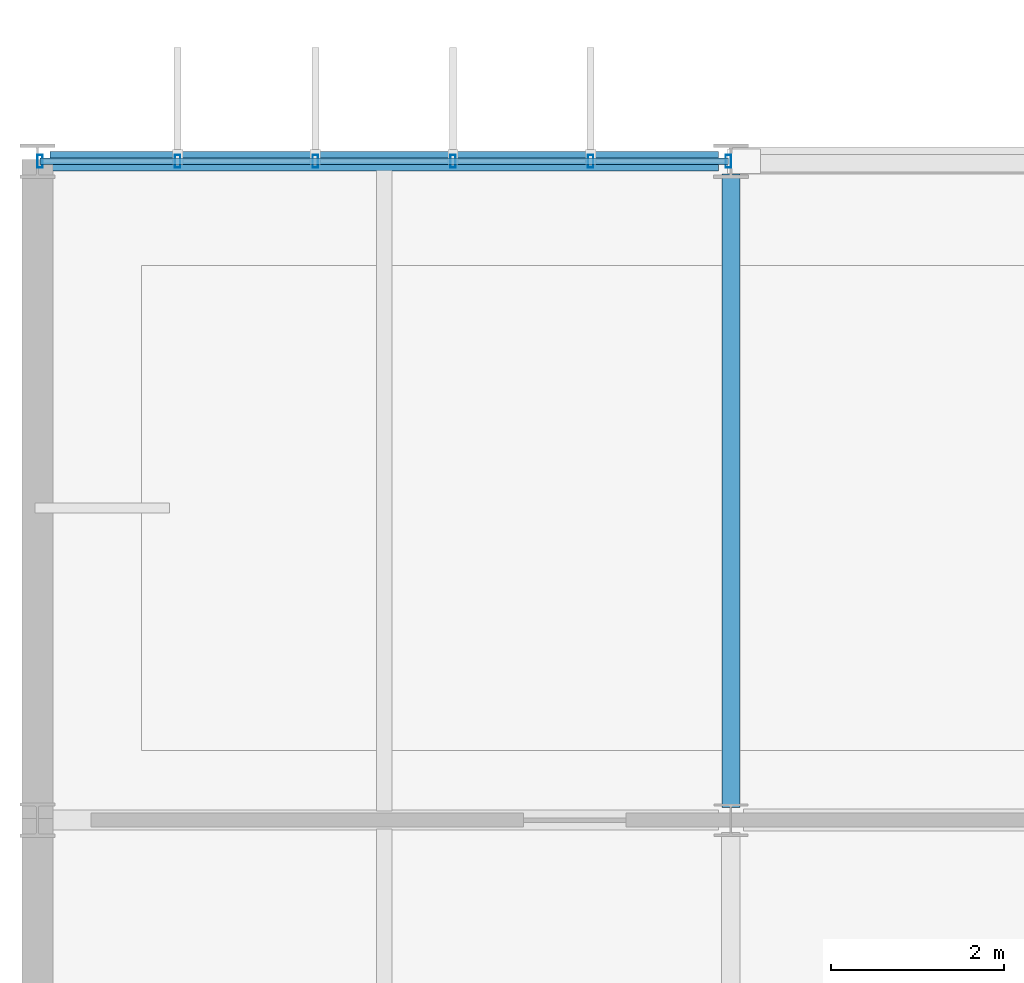
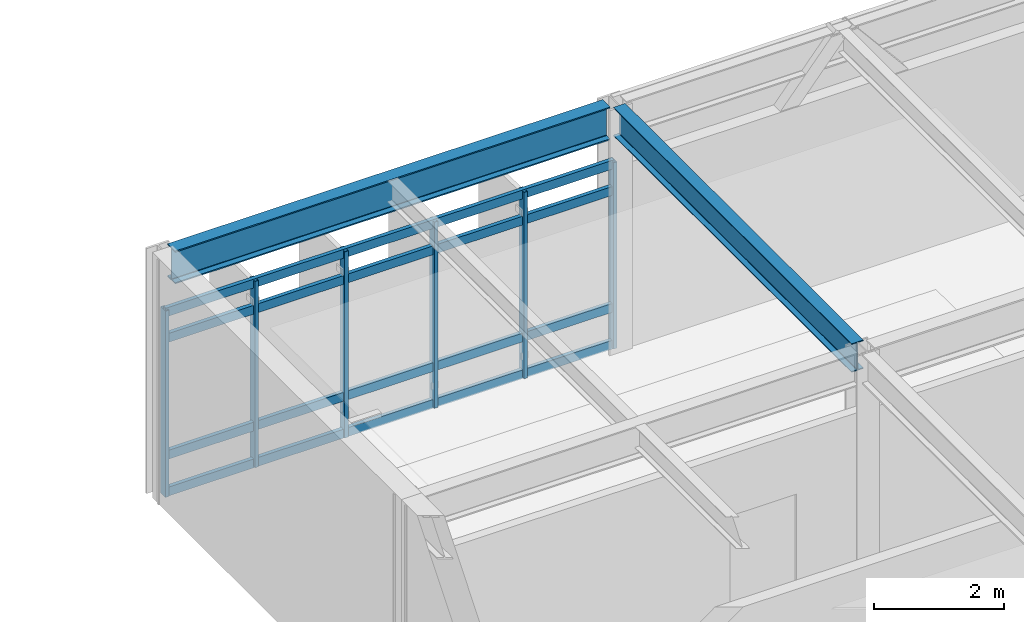
# One storey, part 27 of 104: 10 members, 2 beams, 1 element without a shape of its own.
"""IFC4 building model written with IfcOpenShell, lengths in metres."""

from ifc_helpers import new_model, si_unit, direction, frame, origin, origin_2d, place, context, subcontext, project, spatial, hollow_rectangle, i_section, extrude, material, material_profile, profile_set, type_object, element, aggregate, save


model = new_model("IFC4")

# Units and contexts
model_context = context("Model", 3, precision=1e-05, world=origin(), true_north=direction((0.0, 1.0)))
body_context = subcontext(model_context, "Body", "Model", "MODEL_VIEW")
ifc_project = project(units=[si_unit("LENGTHUNIT", "METRE"), si_unit("AREAUNIT", "SQUARE_METRE"), si_unit("VOLUMEUNIT", "CUBIC_METRE"), si_unit("PLANEANGLEUNIT", "RADIAN"), si_unit("MASSUNIT", "GRAM", prefix="KILO")], contexts=[model_context])

# Site, building, storey
site_placement = place(None, origin())
site = spatial("IfcSite", under=ifc_project, at=site_placement, CompositionType="ELEMENT")
building_placement = place(site_placement, origin())
building = spatial("IfcBuilding", under=site, at=building_placement, Name="Zulena Civic Courthouse", CompositionType="ELEMENT")
storey_placement = place(building_placement, frame((0.0, 0.0, 10.800048828125)))
storey = spatial("IfcBuildingStorey", under=building, at=storey_placement, Name="L02", CompositionType="ELEMENT", Elevation=10.800048828125)

# Curtain wall, members
ifc_material_1 = material(Name="Double-silver low-E laminated solar-control glass", Category="glass")
curtain_wall_type = type_object("IfcCurtainWallType", Name="CW_7940x3490", PredefinedType="USERDEFINED", material=ifc_material_1)
curtain_wall_placement = place(storey_placement, origin())
curtain_wall = element("IfcCurtainWall", 1, at=curtain_wall_placement, inside=storey, type_object=curtain_wall_type, Name="cw:V2:L02:1:0", ObjectType="UNITISED CURTAIN WALL", PredefinedType="USERDEFINED")
ifc_material_2 = material(Name="Bronze anodised thermally broken aluminium AA6063-T6", Category="aluminium")
ifc_material_profile_1 = material_profile(ifc_material_2, hollow_rectangle(XDim=0.06494140625, YDim=0.14990234375, WallThickness=0.00390625, at=origin_2d()), Name="CWM150X65X4")
ifc_profile_set_1 = profile_set([ifc_material_profile_1], Name="Bronze anodised thermally broken aluminium AA6063-T6")
member_type_1 = type_object("IfcMemberType", Name="CWMullion_150x65", PredefinedType="MULLION", material=ifc_profile_set_1)
member_1_placement = place(storey_placement, frame((4.030029296875, 22.800048828125, 0.0), z_axis=(0.0, 0.0, 1.0), x_axis=(1.0, 0.0, 0.0)))
member_1 = element("IfcMember", 2, at=member_1_placement, type_object=member_type_1, Name="cw:V2:L02:1:0:mull:0", PredefinedType="MULLION", context=body_context, shape_type="SweptSolid", body=[
    extrude(hollow_rectangle(XDim=0.06494140625, YDim=0.14990234375, WallThickness=0.00390625, at=origin_2d()), origin(), (0.0, 0.0, 1.0), 3.489990234375),
])
member_2_placement = place(storey_placement, frame((5.617919921875, 22.800048828125, 0.0), z_axis=(0.0, 0.0, 1.0), x_axis=(1.0, 0.0, 0.0)))
member_2 = element("IfcMember", 3, at=member_2_placement, type_object=member_type_1, Name="cw:V2:L02:1:0:mull:1", PredefinedType="MULLION", context=body_context, shape_type="SweptSolid", body=[
    extrude(hollow_rectangle(XDim=0.06494140625, YDim=0.14990234375, WallThickness=0.00390625, at=origin_2d()), origin(), (0.0, 0.0, 1.0), 3.489990234375),
])
member_3_placement = place(storey_placement, frame((7.2060546875, 22.800048828125, 0.0), z_axis=(0.0, 0.0, 1.0), x_axis=(1.0, 0.0, 0.0)))
member_3 = element("IfcMember", 4, at=member_3_placement, type_object=member_type_1, Name="cw:V2:L02:1:0:mull:2", PredefinedType="MULLION", context=body_context, shape_type="SweptSolid", body=[
    extrude(hollow_rectangle(XDim=0.06494140625, YDim=0.14990234375, WallThickness=0.00390625, at=origin_2d()), origin(), (0.0, 0.0, 1.0), 3.489990234375),
])
member_4_placement = place(storey_placement, frame((8.7939453125, 22.800048828125, 0.0), z_axis=(0.0, 0.0, 1.0), x_axis=(1.0, 0.0, 0.0)))
member_4 = element("IfcMember", 5, at=member_4_placement, type_object=member_type_1, Name="cw:V2:L02:1:0:mull:3", PredefinedType="MULLION", context=body_context, shape_type="SweptSolid", body=[
    extrude(hollow_rectangle(XDim=0.06494140625, YDim=0.14990234375, WallThickness=0.00390625, at=origin_2d()), origin(), (0.0, 0.0, 1.0), 3.489990234375),
])
member_5_placement = place(storey_placement, frame((10.382080078125, 22.800048828125, 0.0), z_axis=(0.0, 0.0, 1.0), x_axis=(1.0, 0.0, 0.0)))
member_5 = element("IfcMember", 6, at=member_5_placement, type_object=member_type_1, Name="cw:V2:L02:1:0:mull:4", PredefinedType="MULLION", context=body_context, shape_type="SweptSolid", body=[
    extrude(hollow_rectangle(XDim=0.06494140625, YDim=0.14990234375, WallThickness=0.00390625, at=origin_2d()), origin(), (0.0, 0.0, 1.0), 3.489990234375),
])
member_6_placement = place(storey_placement, frame((11.969970703125, 22.800048828125, 0.0), z_axis=(0.0, 0.0, 1.0), x_axis=(1.0, 0.0, 0.0)))
member_6 = element("IfcMember", 7, at=member_6_placement, type_object=member_type_1, Name="cw:V2:L02:1:0:mull:5", PredefinedType="MULLION", context=body_context, shape_type="SweptSolid", body=[
    extrude(hollow_rectangle(XDim=0.06494140625, YDim=0.14990234375, WallThickness=0.00390625, at=origin_2d()), origin(), (0.0, 0.0, 1.0), 3.489990234375),
])
ifc_material_profile_2 = material_profile(ifc_material_2, hollow_rectangle(XDim=0.070068359375, YDim=0.1650390625, WallThickness=0.00390625, at=origin_2d()), Name="CWT165X70X4")
ifc_profile_set_2 = profile_set([ifc_material_profile_2], Name="Bronze anodised thermally broken aluminium AA6063-T6")
member_type_2 = type_object("IfcMemberType", Name="CWTransom_165x70", PredefinedType="USERDEFINED", material=ifc_profile_set_2)
member_7_placement = place(storey_placement, frame((4.030029296875, 22.800048828125, 0.06005859375), z_axis=(1.0, 0.0, 0.0), x_axis=(0.0, 1.0, 0.0)))
member_7 = element("IfcMember", 8, at=member_7_placement, type_object=member_type_2, Name="cw:V2:L02:1:0:tran:0", ObjectType="TRANSOM", PredefinedType="USERDEFINED", context=body_context, shape_type="SweptSolid", body=[
    extrude(hollow_rectangle(XDim=0.070068359375, YDim=0.1650390625, WallThickness=0.00390625, at=origin_2d()), origin(), (0.0, 0.0, 1.0), 7.93994140625),
])
member_8_placement = place(storey_placement, frame((4.030029296875, 22.800048828125, 0.75), z_axis=(1.0, 0.0, 0.0), x_axis=(0.0, 1.0, 0.0)))
member_8 = element("IfcMember", 9, at=member_8_placement, type_object=member_type_2, Name="cw:V2:L02:1:0:tran:1", ObjectType="TRANSOM", PredefinedType="USERDEFINED", context=body_context, shape_type="SweptSolid", body=[
    extrude(hollow_rectangle(XDim=0.070068359375, YDim=0.1650390625, WallThickness=0.00390625, at=origin_2d()), origin(), (0.0, 0.0, 1.0), 7.93994140625),
])
member_9_placement = place(storey_placement, frame((4.030029296875, 22.800048828125, 2.93994140625), z_axis=(1.0, 0.0, 0.0), x_axis=(0.0, 1.0, 0.0)))
member_9 = element("IfcMember", 10, at=member_9_placement, type_object=member_type_2, Name="cw:V2:L02:1:0:tran:2", ObjectType="TRANSOM", PredefinedType="USERDEFINED", context=body_context, shape_type="SweptSolid", body=[
    extrude(hollow_rectangle(XDim=0.070068359375, YDim=0.1650390625, WallThickness=0.00390625, at=origin_2d()), origin(), (0.0, 0.0, 1.0), 7.93994140625),
])
member_10_placement = place(storey_placement, frame((4.030029296875, 22.800048828125, 3.429931640625), z_axis=(1.0, 0.0, 0.0), x_axis=(0.0, 1.0, 0.0)))
member_10 = element("IfcMember", 11, at=member_10_placement, type_object=member_type_2, Name="cw:V2:L02:1:0:tran:3", ObjectType="TRANSOM", PredefinedType="USERDEFINED", context=body_context, shape_type="SweptSolid", body=[
    extrude(hollow_rectangle(XDim=0.070068359375, YDim=0.1650390625, WallThickness=0.00390625, at=origin_2d()), origin(), (0.0, 0.0, 1.0), 7.93994140625),
])
aggregate(curtain_wall, [member_1, member_2, member_3, member_4, member_5, member_6, member_7, member_8, member_9, member_10])

# Beams
ifc_material_3 = material(Name="Steel ASTM A992 Grade 50", Category="steel")
ifc_material_profile_3 = material_profile(ifc_material_3, i_section(OverallWidth=0.2099609375, OverallDepth=0.537109375, WebThickness=0.010986328125, FlangeThickness=0.017333984375, FilletRadius=0.0126953125, at=origin_2d()), Name="W21X68")
ifc_profile_set_3 = profile_set([ifc_material_profile_3], Name="Steel ASTM A992 Grade 50")
beam_type_1 = type_object("IfcBeamType", Name="Spandrel_W21X68", PredefinedType="SPANDREL", material=ifc_profile_set_3)
beam_1_placement = place(storey_placement, frame((12.0, 15.344970703125, 4.321533203125), z_axis=(0.0, 1.0, 0.0), x_axis=(-1.0, 0.0, 0.0)))
element("IfcBeam", 12, at=beam_1_placement, inside=storey, type_object=beam_type_1, Name="beam:Y:V2:L02:12.0:15.2_22.8", PredefinedType="SPANDREL", context=body_context, shape_type="SweptSolid", body=[
    extrude(i_section(OverallWidth=0.2099609375, OverallDepth=0.537109375, WebThickness=0.010986328125, FlangeThickness=0.017333984375, FilletRadius=0.0126953125, at=origin_2d()), origin(), (0.0, 0.0, 1.0), 7.31005859375),
])
ifc_material_profile_4 = material_profile(ifc_material_3, i_section(OverallWidth=0.22998046875, OverallDepth=0.616943359375, WebThickness=0.01318359375, FlangeThickness=0.022216796875, FilletRadius=0.0126953125, at=origin_2d()), Name="W24X94")
ifc_profile_set_4 = profile_set([ifc_material_profile_4], Name="Steel ASTM A992 Grade 50")
beam_type_2 = type_object("IfcBeamType", Name="Spandrel_W24X94", PredefinedType="SPANDREL", material=ifc_profile_set_4)
beam_2_placement = place(storey_placement, frame((4.14501953125, 22.800048828125, 4.281494140625), z_axis=(1.0, 0.0, 0.0), x_axis=(0.0, 1.0, 0.0)))
element("IfcBeam", 13, at=beam_2_placement, inside=storey, type_object=beam_type_2, Name="beam:X:V2:L02:22.8:4.0_12.0", PredefinedType="SPANDREL", context=body_context, shape_type="SweptSolid", body=[
    extrude(i_section(OverallWidth=0.22998046875, OverallDepth=0.616943359375, WebThickness=0.01318359375, FlangeThickness=0.022216796875, FilletRadius=0.0126953125, at=origin_2d()), origin(), (0.0, 0.0, 1.0), 7.7099609375),
])

save(model, "model.ifc")
